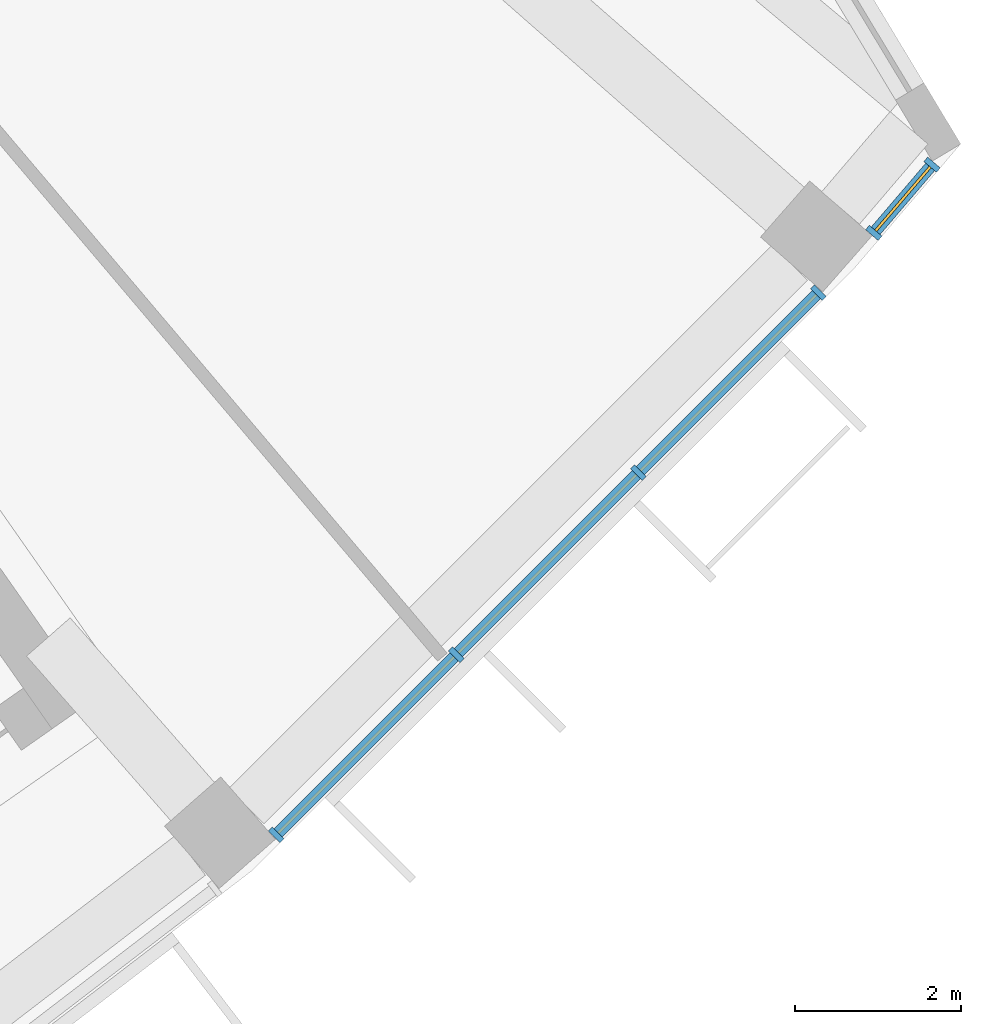
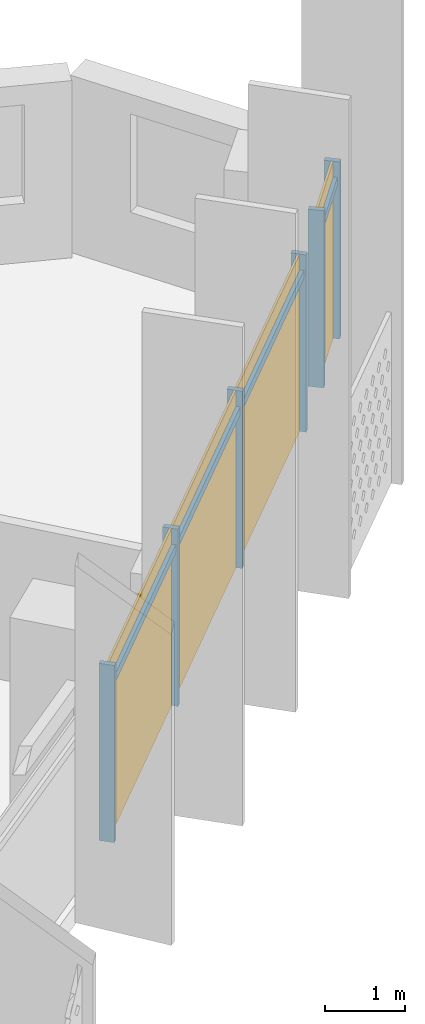
# One storey, part 21 of 28: 10 members, 2 curtain walls.
"""IFC4 building model written with IfcOpenShell, lengths in metres."""

from ifc_helpers import new_model, si_unit, direction, frame, origin, origin_2d, place, context, subcontext, project, spatial, rectangle, extrude, material, material_profile, profile_set, type_object, element, aggregate, save


model = new_model("IFC4")

# Units and contexts
model_context = context("Model", 3, precision=1e-05, world=origin(), true_north=direction((0.0, 1.0)))
body_context = subcontext(model_context, "Body", "Model", "MODEL_VIEW")
ifc_project = project(units=[si_unit("LENGTHUNIT", "METRE"), si_unit("AREAUNIT", "SQUARE_METRE"), si_unit("VOLUMEUNIT", "CUBIC_METRE"), si_unit("PLANEANGLEUNIT", "RADIAN"), si_unit("MASSUNIT", "GRAM", prefix="KILO")], contexts=[model_context])

# Member
ifc_material = material(Name="Aluminium 6063-T6 anodised", Category="aluminium")
ifc_material_profile_1 = material_profile(ifc_material, rectangle(XDim=0.199951171875, YDim=0.070068359375, at=origin_2d()))
ifc_profile_set_1 = profile_set([ifc_material_profile_1], Name="Aluminium 6063-T6 anodised")
member_type_1 = type_object("IfcMemberType", Name="Mullion 70 x 200 aluminium", PredefinedType="MULLION", material=ifc_profile_set_1)
site_placement = place(None, origin())
building_placement = place(site_placement, origin())
storey_placement = place(building_placement, frame((0.0, 0.0, 265.699951171875)))
member_1_placement = place(storey_placement, frame((51.942626953125, -58.482421875, 0.0), z_axis=(0.0, 0.0, 1.0), x_axis=(-0.707106781187, 0.707106781187, 0.0)))
member_1 = element("IfcMember", 1, at=member_1_placement, type_object=member_type_1, Name="e-cw1-L64-out13/M00", PredefinedType="MULLION", context=body_context, shape_type="SweptSolid", body=[
    extrude(rectangle(XDim=0.199951171875, YDim=0.070068359375, at=origin_2d()), origin(), (0.0, 0.0, 1.0), 2.699951171875),
])

member_2_placement = place(storey_placement, frame((54.1142578125, -56.310791015625, 0.0), z_axis=(0.0, 0.0, 1.0), x_axis=(-0.707106781187, 0.707106781187, 0.0)))
member_2 = element("IfcMember", 2, at=member_2_placement, type_object=member_type_1, Name="e-cw1-L64-out13/M01", PredefinedType="MULLION", context=body_context, shape_type="SweptSolid", body=[
    extrude(rectangle(XDim=0.199951171875, YDim=0.070068359375, at=origin_2d()), origin(), (0.0, 0.0, 1.0), 2.699951171875),
])

member_3_placement = place(storey_placement, frame((56.310791015625, -54.1142578125, 0.0), z_axis=(0.0, 0.0, 1.0), x_axis=(-0.707106781187, 0.707106781187, 0.0)))
member_3 = element("IfcMember", 3, at=member_3_placement, type_object=member_type_1, Name="e-cw1-L64-out13/M02", PredefinedType="MULLION", context=body_context, shape_type="SweptSolid", body=[
    extrude(rectangle(XDim=0.199951171875, YDim=0.070068359375, at=origin_2d()), origin(), (0.0, 0.0, 1.0), 2.699951171875),
])

member_4_placement = place(storey_placement, frame((58.482421875, -51.942626953125, 0.0), z_axis=(0.0, 0.0, 1.0), x_axis=(-0.707106781187, 0.707106781187, 0.0)))
member_4 = element("IfcMember", 4, at=member_4_placement, type_object=member_type_1, Name="e-cw1-L64-out13/M03", PredefinedType="MULLION", context=body_context, shape_type="SweptSolid", body=[
    extrude(rectangle(XDim=0.199951171875, YDim=0.070068359375, at=origin_2d()), origin(), (0.0, 0.0, 1.0), 2.699951171875),
])

member_5_placement = place(storey_placement, frame((59.14892578125, -51.222412109375, 0.0), z_axis=(0.0, 0.0, 1.0), x_axis=(-0.760138256011, 0.649761365233, 0.0)))
member_5 = element("IfcMember", 5, at=member_5_placement, type_object=member_type_1, Name="e-cw1-L64-out14/M00", PredefinedType="MULLION", context=body_context, shape_type="SweptSolid", body=[
    extrude(rectangle(XDim=0.199951171875, YDim=0.070068359375, at=origin_2d()), origin(), (0.0, 0.0, 1.0), 2.699951171875),
])

member_6_placement = place(storey_placement, frame((59.851806640625, -50.400146484375, 0.0), z_axis=(0.0, 0.0, 1.0), x_axis=(-0.760138256011, 0.649761365233, 0.0)))
member_6 = element("IfcMember", 6, at=member_6_placement, type_object=member_type_1, Name="e-cw1-L64-out14/M01", PredefinedType="MULLION", context=body_context, shape_type="SweptSolid", body=[
    extrude(rectangle(XDim=0.199951171875, YDim=0.070068359375, at=origin_2d()), origin(), (0.0, 0.0, 1.0), 2.699951171875),
])

ifc_material_profile_2 = material_profile(ifc_material, rectangle(XDim=0.139892578125, YDim=0.1201171875, at=origin_2d()))
ifc_profile_set_2 = profile_set([ifc_material_profile_2], Name="Aluminium 6063-T6 anodised")
member_type_2 = type_object("IfcMemberType", Name="Transom 120 x 140 aluminium", PredefinedType="USERDEFINED", material=ifc_profile_set_2)
member_7_placement = place(storey_placement, frame((51.96728515625, -58.45751953125, 2.400146484375), z_axis=(0.707147453401, 0.707066106633, 0.0), x_axis=(-0.707066106633, 0.707147453401, 0.0)))
member_7 = element("IfcMember", 7, at=member_7_placement, type_object=member_type_2, Name="e-cw1-L64-out13/T00", ObjectType="TRANSOM", PredefinedType="USERDEFINED", context=body_context, shape_type="SweptSolid", body=[
    extrude(rectangle(XDim=0.139892578125, YDim=0.1201171875, at=origin_2d()), origin(), (0.0, 0.0, 1.0), 3.001220703125),
])

member_8_placement = place(storey_placement, frame((54.138916015625, -56.285888671875, 2.400146484375), z_axis=(0.707106781187, 0.707106781187, 0.0), x_axis=(-0.707106781187, 0.707106781187, 0.0)))
member_8 = element("IfcMember", 8, at=member_8_placement, type_object=member_type_2, Name="e-cw1-L64-out13/T01", ObjectType="TRANSOM", PredefinedType="USERDEFINED", context=body_context, shape_type="SweptSolid", body=[
    extrude(rectangle(XDim=0.139892578125, YDim=0.1201171875, at=origin_2d()), origin(), (0.0, 0.0, 1.0), 3.036376953125),
])

member_9_placement = place(storey_placement, frame((56.33544921875, -54.089599609375, 2.400146484375), z_axis=(0.707066106633, 0.707147453401, 0.0), x_axis=(-0.707147453401, 0.707066106633, 0.0)))
member_9 = element("IfcMember", 9, at=member_9_placement, type_object=member_type_2, Name="e-cw1-L64-out13/T02", ObjectType="TRANSOM", PredefinedType="USERDEFINED", context=body_context, shape_type="SweptSolid", body=[
    extrude(rectangle(XDim=0.139892578125, YDim=0.1201171875, at=origin_2d()), origin(), (0.0, 0.0, 1.0), 3.001220703125),
])

member_10_placement = place(storey_placement, frame((59.171875, -51.19580078125, 2.400146484375), z_axis=(0.649677687374, 0.760209775344, 0.0), x_axis=(-0.760209775344, 0.649677687374, 0.0)))
member_10 = element("IfcMember", 10, at=member_10_placement, type_object=member_type_2, Name="e-cw1-L64-out14/T00", ObjectType="TRANSOM", PredefinedType="USERDEFINED", context=body_context, shape_type="SweptSolid", body=[
    extrude(rectangle(XDim=0.139892578125, YDim=0.1201171875, at=origin_2d()), origin(), (0.0, 0.0, 1.0), 1.01171875),
])

# Site, building, storey
site = spatial("IfcSite", under=ifc_project, at=site_placement, CompositionType="ELEMENT")
building = spatial("IfcBuilding", under=site, at=building_placement, Name="Qamariyya Broadcast Tower", CompositionType="ELEMENT")
storey = spatial("IfcBuildingStorey", under=building, at=storey_placement, Name="L64", CompositionType="ELEMENT", Elevation=265.699951171875)

# Curtain wall
curtain_wall_type = type_object("IfcCurtainWallType", Name="Unitised curtain wall, anodised aluminium", PredefinedType="NOTDEFINED", material=ifc_material)
curtain_wall_1_placement = place(storey_placement, origin())
curtain_wall_1 = element("IfcCurtainWall", 11, at=curtain_wall_1_placement, inside=storey, type_object=curtain_wall_type, Name="e-cw1-L64-out13", PredefinedType="NOTDEFINED", context=body_context, shape_type="SweptSolid", body=[
    extrude(rectangle(XDim=3.001220703125, YDim=0.031982421875, at=origin_2d()), frame((53.0283203125, -57.396484375, 0.0), x_axis=(0.707106781187, 0.707106781187, 0.0)), (0.0, 0.0, 1.0), 2.340087890625),
    extrude(rectangle(XDim=3.001220703125, YDim=0.031982421875, at=origin_2d()), frame((53.0283203125, -57.396484375, 2.4599609375), x_axis=(0.707106781187, 0.707106781187, 0.0)), (0.0, 0.0, 1.0), 0.239990234375),
    extrude(rectangle(XDim=3.0361328125, YDim=0.031982421875, at=origin_2d()), frame((55.21240234375, -55.21240234375, 0.0), x_axis=(0.707106781187, 0.707106781187, 0.0)), (0.0, 0.0, 1.0), 2.340087890625),
    extrude(rectangle(XDim=3.0361328125, YDim=0.031982421875, at=origin_2d()), frame((55.21240234375, -55.21240234375, 2.4599609375), x_axis=(0.707106781187, 0.707106781187, 0.0)), (0.0, 0.0, 1.0), 0.239990234375),
    extrude(rectangle(XDim=3.001220703125, YDim=0.031982421875, at=origin_2d()), frame((57.396484375, -53.0283203125, 0.0), x_axis=(0.707106781187, 0.707106781187, 0.0)), (0.0, 0.0, 1.0), 2.340087890625),
    extrude(rectangle(XDim=3.001220703125, YDim=0.031982421875, at=origin_2d()), frame((57.396484375, -53.0283203125, 2.4599609375), x_axis=(0.707106781187, 0.707106781187, 0.0)), (0.0, 0.0, 1.0), 0.239990234375),
])

aggregate(curtain_wall_1, [member_1, member_2, member_3, member_4, member_7, member_8, member_9])

curtain_wall_2_placement = place(storey_placement, origin())
curtain_wall_2 = element("IfcCurtainWall", 12, at=curtain_wall_2_placement, inside=storey, type_object=curtain_wall_type, Name="e-cw1-L64-out14", PredefinedType="NOTDEFINED", context=body_context, shape_type="SweptSolid", body=[
    extrude(rectangle(XDim=1.01171875, YDim=0.031982421875, at=origin_2d()), frame((59.50048828125, -50.811279296875, 0.0), x_axis=(0.649725833893, 0.760168626538, 0.0)), (0.0, 0.0, 1.0), 2.340087890625),
    extrude(rectangle(XDim=1.01171875, YDim=0.031982421875, at=origin_2d()), frame((59.50048828125, -50.811279296875, 2.4599609375), x_axis=(0.649725833893, 0.760168626538, 0.0)), (0.0, 0.0, 1.0), 0.239990234375),
])

aggregate(curtain_wall_2, [member_5, member_6, member_10])

save(model, "model.ifc")
